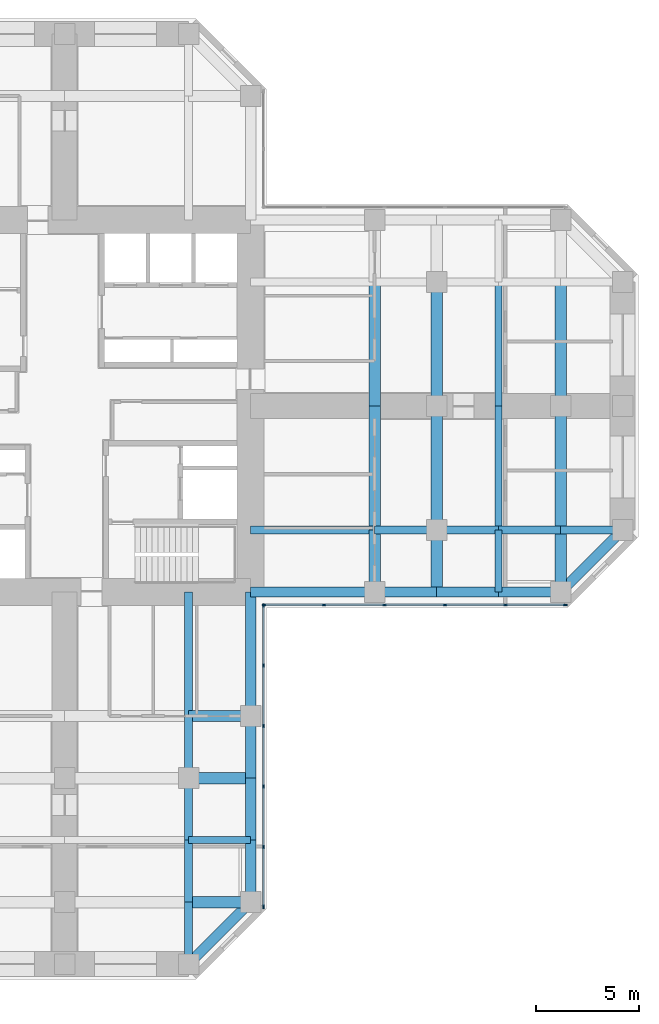
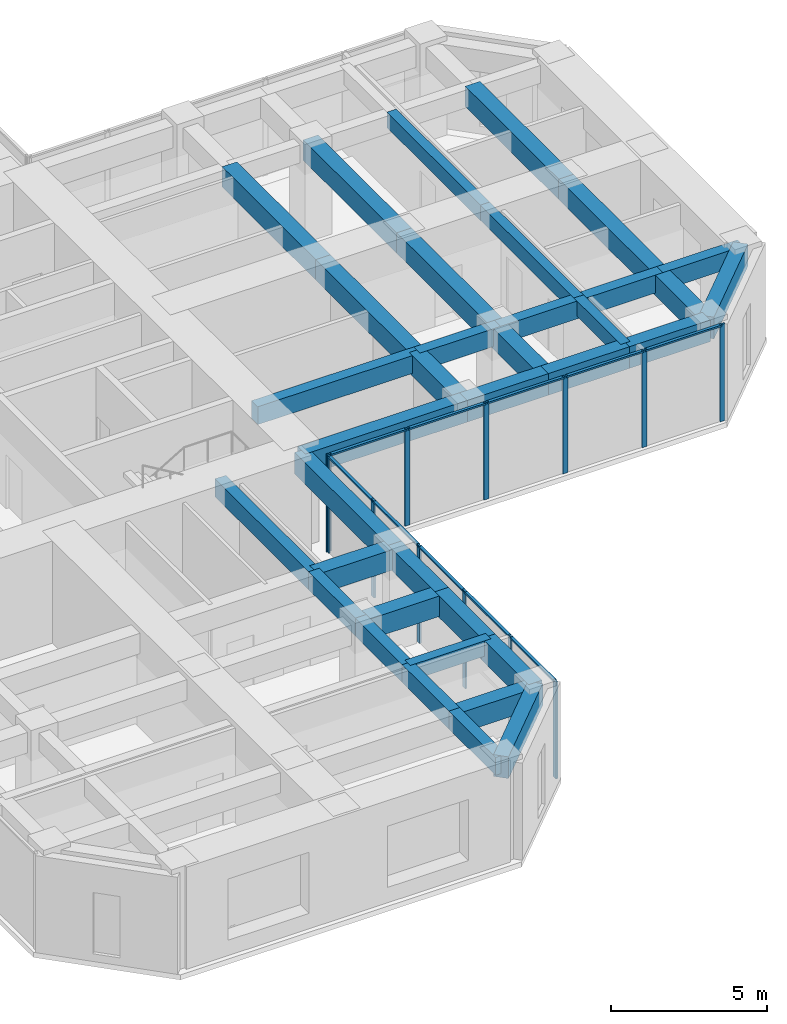
# One storey, part 4 of 13: 36 beams, 22 members, 2 elements without a shape of their own.
"""IFC4 building model written with IfcOpenShell, lengths in metres."""

from ifc_helpers import new_model, si_unit, direction, frame, origin, origin_2d, place, context, subcontext, project, spatial, rectangle, extrude, material, material_profile, profile_set, type_object, element, aggregate, save


model = new_model("IFC4")

# Units and contexts
model_context = context("Model", 3, precision=1e-05, world=origin(), true_north=direction((0.0, 1.0)))
body_context = subcontext(model_context, "Body", "Model", "MODEL_VIEW")
ifc_project = project(units=[si_unit("LENGTHUNIT", "METRE"), si_unit("AREAUNIT", "SQUARE_METRE"), si_unit("VOLUMEUNIT", "CUBIC_METRE"), si_unit("PLANEANGLEUNIT", "RADIAN"), si_unit("MASSUNIT", "GRAM", prefix="KILO")], contexts=[model_context])

# Site, building, storey
site_placement = place(None, origin())
site = spatial("IfcSite", under=ifc_project, at=site_placement, CompositionType="ELEMENT")
building_placement = place(site_placement, origin())
building = spatial("IfcBuilding", under=site, at=building_placement, Name="Torre Cruceta", CompositionType="ELEMENT")
storey_placement = place(building_placement, frame((0.0, 0.0, 132.5)))
storey = spatial("IfcBuildingStorey", under=building, at=storey_placement, Name="L32", CompositionType="ELEMENT", Elevation=132.5)

# Beams
ifc_material_1 = material(Name="Concrete G60 (fck 60 MPa)", Category="concrete")
ifc_material_profile_1 = material_profile(ifc_material_1, rectangle(XDim=0.39990234375, YDim=0.699951171875, at=origin_2d()), Name="RC 400X700")
ifc_profile_set_1 = profile_set([ifc_material_profile_1], Name="Concrete G60 (fck 60 MPa)")
beam_type_1 = type_object("IfcBeamType", Name="COLUMN LINE BEAM RC 400X700", PredefinedType="BEAM", material=ifc_profile_set_1)
beam_1_placement = place(storey_placement, frame((9.0, -6.0, 3.449951171875), z_axis=(1.0, 0.0, 0.0), x_axis=(0.0, 1.0, 0.0)))
element("IfcBeam", 1, at=beam_1_placement, inside=storey, type_object=beam_type_1, Name="LB5 L32 E col- 1", PredefinedType="BEAM", context=body_context, shape_type="SweptSolid", body=[
    extrude(rectangle(XDim=0.39990234375, YDim=0.699951171875, at=origin_2d()), origin(), (0.0, 0.0, 1.0), 6.0),
])
for number, where, z_axis, x_axis, name in (
    (2, (15.0, -6.0, 3.449951171875), (1.0, 0.0, 0.0), (0.0, 1.0, 0.0), "LB5 L32 E col- 2"),
    (3, (18.0, -6.0, 3.449951171875), (1.0, 0.0, 0.0), (0.0, 1.0, 0.0), "LB5 L32 E col- 3"),
    (4, (21.0, -6.0, 3.449951171875), (1.0, 0.0, 0.0), (0.0, 1.0, 0.0), "LB5 L32 E col- 4"),
    (5, (24.0, -6.0, 3.449951171875), (1.0, 0.0, 0.0), (0.0, 1.0, 0.0), "LB5 L32 E col- 5"),
):
    element("IfcBeam", number, at=place(storey_placement, frame(where, z_axis=z_axis, x_axis=x_axis)), inside=storey, type_object=beam_type_1, Name=name, PredefinedType="BEAM", context=body_context, shape_type="SweptSolid", body=[
        extrude(rectangle(XDim=0.39990234375, YDim=0.699951171875, at=origin_2d()), origin(), (0.0, 0.0, 1.0), 3.0),
    ])
beam_2_placement = place(storey_placement, frame((6.0, -9.0, 3.449951171875), z_axis=(0.0, -1.0, 0.0), x_axis=(1.0, 0.0, 0.0)))
element("IfcBeam", 6, at=beam_2_placement, inside=storey, type_object=beam_type_1, Name="LB5 L32 S col+ 1", PredefinedType="BEAM", context=body_context, shape_type="SweptSolid", body=[
    extrude(rectangle(XDim=0.39990234375, YDim=0.699951171875, at=origin_2d()), origin(), (0.0, 0.0, 1.0), 6.0),
])
for number, where, z_axis, x_axis, name in (
    (7, (6.0, -15.0, 3.449951171875), (0.0, -1.0, 0.0), (1.0, 0.0, 0.0), "LB5 L32 S col+ 2"),
    (8, (6.0, -18.0, 3.449951171875), (0.0, -1.0, 0.0), (1.0, 0.0, 0.0), "LB5 L32 S col+ 3"),
    (9, (6.0, -21.0, 3.449951171875), (0.0, -1.0, 0.0), (1.0, 0.0, 0.0), "LB5 L32 S col+ 4"),
    (10, (6.0, -24.0, 3.449951171875), (0.0, -1.0, 0.0), (1.0, 0.0, 0.0), "LB5 L32 S col+ 5"),
):
    element("IfcBeam", number, at=place(storey_placement, frame(where, z_axis=z_axis, x_axis=x_axis)), inside=storey, type_object=beam_type_1, Name=name, PredefinedType="BEAM", context=body_context, shape_type="SweptSolid", body=[
        extrude(rectangle(XDim=0.39990234375, YDim=0.699951171875, at=origin_2d()), origin(), (0.0, 0.0, 1.0), 3.0),
    ])
ifc_material_2 = material(Name="Concrete G60 (fck 60 MPa)", Category="concrete")
ifc_material_profile_2 = material_profile(ifc_material_2, rectangle(XDim=0.550048828125, YDim=0.800048828125, at=origin_2d()), Name="RC 550X800")
ifc_profile_set_2 = profile_set([ifc_material_profile_2], Name="Concrete G60 (fck 60 MPa)")
beam_type_2 = type_object("IfcBeamType", Name="CROSS BEAM RC 550X800", PredefinedType="BEAM", material=ifc_profile_set_2)
beam_3_placement = place(storey_placement, frame((15.0, -9.0, 3.39990234375), z_axis=(0.0, 1.0, 0.0), x_axis=(-1.0, 0.0, 0.0)))
element("IfcBeam", 11, at=beam_3_placement, inside=storey, type_object=beam_type_2, Name="GB5 L32 E cross15 1", PredefinedType="BEAM", context=body_context, shape_type="SweptSolid", body=[
    extrude(rectangle(XDim=0.550048828125, YDim=0.800048828125, at=origin_2d()), origin(), (0.0, 0.0, 1.0), 3.0),
])
for number, where, z_axis, x_axis, name in (
    (12, (15.0, -6.0, 3.39990234375), (0.0, 1.0, 0.0), (-1.0, 0.0, 0.0), "GB5 L32 E cross15 2"),
    (13, (15.0, 0.0, 3.39990234375), (0.0, 1.0, 0.0), (-1.0, 0.0, 0.0), "GB5 L32 E cross15 3"),
):
    element("IfcBeam", number, at=place(storey_placement, frame(where, z_axis=z_axis, x_axis=x_axis)), inside=storey, type_object=beam_type_2, Name=name, PredefinedType="BEAM", context=body_context, shape_type="SweptSolid", body=[
        extrude(rectangle(XDim=0.550048828125, YDim=0.800048828125, at=origin_2d()), origin(), (0.0, 0.0, 1.0), 6.0),
    ])
beam_4_placement = place(storey_placement, frame((18.0, -9.0, 3.39990234375), z_axis=(0.0, 1.0, 0.0), x_axis=(-1.0, 0.0, 0.0)))
element("IfcBeam", 14, at=beam_4_placement, inside=storey, type_object=beam_type_2, Name="GB5 L32 E cross18 1", PredefinedType="BEAM", context=body_context, shape_type="SweptSolid", body=[
    extrude(rectangle(XDim=0.550048828125, YDim=0.800048828125, at=origin_2d()), origin(), (0.0, 0.0, 1.0), 3.0),
])
for number, where, z_axis, x_axis, name in (
    (15, (18.0, -6.0, 3.39990234375), (0.0, 1.0, 0.0), (-1.0, 0.0, 0.0), "GB5 L32 E cross18 2"),
    (16, (18.0, 0.0, 3.39990234375), (0.0, 1.0, 0.0), (-1.0, 0.0, 0.0), "GB5 L32 E cross18 3"),
):
    element("IfcBeam", number, at=place(storey_placement, frame(where, z_axis=z_axis, x_axis=x_axis)), inside=storey, type_object=beam_type_2, Name=name, PredefinedType="BEAM", context=body_context, shape_type="SweptSolid", body=[
        extrude(rectangle(XDim=0.550048828125, YDim=0.800048828125, at=origin_2d()), origin(), (0.0, 0.0, 1.0), 6.0),
    ])
beam_5_placement = place(storey_placement, frame((24.0, -9.0, 3.39990234375), z_axis=(0.0, 1.0, 0.0), x_axis=(-1.0, 0.0, 0.0)))
element("IfcBeam", 17, at=beam_5_placement, inside=storey, type_object=beam_type_2, Name="GB5 L32 E cross24 1", PredefinedType="BEAM", context=body_context, shape_type="SweptSolid", body=[
    extrude(rectangle(XDim=0.550048828125, YDim=0.800048828125, at=origin_2d()), origin(), (0.0, 0.0, 1.0), 3.0),
])
for number, where, z_axis, x_axis, name in (
    (18, (24.0, -6.0, 3.39990234375), (0.0, 1.0, 0.0), (-1.0, 0.0, 0.0), "GB5 L32 E cross24 2"),
    (19, (24.0, 0.0, 3.39990234375), (0.0, 1.0, 0.0), (-1.0, 0.0, 0.0), "GB5 L32 E cross24 3"),
):
    element("IfcBeam", number, at=place(storey_placement, frame(where, z_axis=z_axis, x_axis=x_axis)), inside=storey, type_object=beam_type_2, Name=name, PredefinedType="BEAM", context=body_context, shape_type="SweptSolid", body=[
        extrude(rectangle(XDim=0.550048828125, YDim=0.800048828125, at=origin_2d()), origin(), (0.0, 0.0, 1.0), 6.0),
    ])
for number, where, z_axis, x_axis, name in (
    (20, (6.0, -15.0, 3.39990234375), (1.0, 0.0, 0.0), (0.0, 1.0, 0.0), "GB5 L32 S cross15 4"),
    (21, (6.0, -18.0, 3.39990234375), (1.0, 0.0, 0.0), (0.0, 1.0, 0.0), "GB5 L32 S cross18 4"),
    (22, (6.0, -24.0, 3.39990234375), (1.0, 0.0, 0.0), (0.0, 1.0, 0.0), "GB5 L32 S cross24 4"),
):
    element("IfcBeam", number, at=place(storey_placement, frame(where, z_axis=z_axis, x_axis=x_axis)), inside=storey, type_object=beam_type_2, Name=name, PredefinedType="BEAM", context=body_context, shape_type="SweptSolid", body=[
        extrude(rectangle(XDim=0.550048828125, YDim=0.800048828125, at=origin_2d()), origin(), (0.0, 0.0, 1.0), 3.0),
    ])

# Curtain wall, members
ifc_material_3 = material(Name="Aluminium unitised curtain wall", Category="aluminium")
curtain_wall_type = type_object("IfcCurtainWallType", Name="CURTAIN WALL CW-B OFFICE MID RISE", PredefinedType="USERDEFINED", material=ifc_material_3)
curtain_wall_1_placement = place(storey_placement, origin())
curtain_wall_1 = element("IfcCurtainWall", 23, at=curtain_wall_1_placement, inside=storey, type_object=curtain_wall_type, Name="CW-B L32 E side 00", ObjectType="UNITISED", PredefinedType="USERDEFINED")
ifc_material_4 = material(Name="Aluminium mullion", Category="aluminium")
ifc_material_profile_3 = material_profile(ifc_material_4, rectangle(XDim=0.06494140625, YDim=0.179931640625, at=origin_2d()), Name="AL 65X180")
ifc_profile_set_3 = profile_set([ifc_material_profile_3], Name="Aluminium mullion")
member_type_1 = type_object("IfcMemberType", Name="CW-B MULLION 65X180", PredefinedType="MULLION", material=ifc_profile_set_3)
member_1_placement = place(storey_placement, frame((9.652587890625, -9.6201171875, 0.0), z_axis=(0.0, 0.0, 1.0), x_axis=(0.0, 1.0, 0.0)))
member_1 = element("IfcMember", 24, at=member_1_placement, type_object=member_type_1, Name="CW-B mullion 1", PredefinedType="MULLION", context=body_context, shape_type="SweptSolid", body=[
    extrude(rectangle(XDim=0.06494140625, YDim=0.179931640625, at=origin_2d()), origin(), (0.0, 0.0, 1.0), 3.800048828125),
])
member_2_placement = place(storey_placement, frame((12.54736328125, -9.6201171875, 0.0), z_axis=(0.0, 0.0, 1.0), x_axis=(0.0, 1.0, 0.0)))
member_2 = element("IfcMember", 25, at=member_2_placement, type_object=member_type_1, Name="CW-B mullion 2", PredefinedType="MULLION", context=body_context, shape_type="SweptSolid", body=[
    extrude(rectangle(XDim=0.06494140625, YDim=0.179931640625, at=origin_2d()), origin(), (0.0, 0.0, 1.0), 3.800048828125),
])
member_3_placement = place(storey_placement, frame((15.474609375, -9.6201171875, 0.0), z_axis=(0.0, 0.0, 1.0), x_axis=(0.0, 1.0, 0.0)))
member_3 = element("IfcMember", 26, at=member_3_placement, type_object=member_type_1, Name="CW-B mullion 3", PredefinedType="MULLION", context=body_context, shape_type="SweptSolid", body=[
    extrude(rectangle(XDim=0.06494140625, YDim=0.179931640625, at=origin_2d()), origin(), (0.0, 0.0, 1.0), 3.800048828125),
])
member_4_placement = place(storey_placement, frame((18.402099609375, -9.6201171875, 0.0), z_axis=(0.0, 0.0, 1.0), x_axis=(0.0, 1.0, 0.0)))
member_4 = element("IfcMember", 27, at=member_4_placement, type_object=member_type_1, Name="CW-B mullion 4", PredefinedType="MULLION", context=body_context, shape_type="SweptSolid", body=[
    extrude(rectangle(XDim=0.06494140625, YDim=0.179931640625, at=origin_2d()), origin(), (0.0, 0.0, 1.0), 3.800048828125),
])
member_5_placement = place(storey_placement, frame((21.329345703125, -9.6201171875, 0.0), z_axis=(0.0, 0.0, 1.0), x_axis=(0.0, 1.0, 0.0)))
member_5 = element("IfcMember", 28, at=member_5_placement, type_object=member_type_1, Name="CW-B mullion 5", PredefinedType="MULLION", context=body_context, shape_type="SweptSolid", body=[
    extrude(rectangle(XDim=0.06494140625, YDim=0.179931640625, at=origin_2d()), origin(), (0.0, 0.0, 1.0), 3.800048828125),
])
member_6_placement = place(storey_placement, frame((24.224365234375, -9.6201171875, 0.0), z_axis=(0.0, 0.0, 1.0), x_axis=(0.0, 1.0, 0.0)))
member_6 = element("IfcMember", 29, at=member_6_placement, type_object=member_type_1, Name="CW-B mullion 6", PredefinedType="MULLION", context=body_context, shape_type="SweptSolid", body=[
    extrude(rectangle(XDim=0.06494140625, YDim=0.179931640625, at=origin_2d()), origin(), (0.0, 0.0, 1.0), 3.800048828125),
])

curtain_wall_2_placement = place(storey_placement, origin())
curtain_wall_2 = element("IfcCurtainWall", 30, at=curtain_wall_2_placement, inside=storey, type_object=curtain_wall_type, Name="CW-B L32 S side 19", ObjectType="UNITISED", PredefinedType="USERDEFINED")
member_7_placement = place(storey_placement, frame((9.6201171875, -24.224365234375, 0.0), z_axis=(0.0, 0.0, 1.0), x_axis=(-1.0, 0.0, 0.0)))
member_7 = element("IfcMember", 31, at=member_7_placement, type_object=member_type_1, Name="CW-B mullion 1", PredefinedType="MULLION", context=body_context, shape_type="SweptSolid", body=[
    extrude(rectangle(XDim=0.06494140625, YDim=0.179931640625, at=origin_2d()), origin(), (0.0, 0.0, 1.0), 3.800048828125),
])
member_8_placement = place(storey_placement, frame((9.6201171875, -21.329345703125, 0.0), z_axis=(0.0, 0.0, 1.0), x_axis=(-1.0, 0.0, 0.0)))
member_8 = element("IfcMember", 32, at=member_8_placement, type_object=member_type_1, Name="CW-B mullion 2", PredefinedType="MULLION", context=body_context, shape_type="SweptSolid", body=[
    extrude(rectangle(XDim=0.06494140625, YDim=0.179931640625, at=origin_2d()), origin(), (0.0, 0.0, 1.0), 3.800048828125),
])
member_9_placement = place(storey_placement, frame((9.6201171875, -18.402099609375, 0.0), z_axis=(0.0, 0.0, 1.0), x_axis=(-1.0, 0.0, 0.0)))
member_9 = element("IfcMember", 33, at=member_9_placement, type_object=member_type_1, Name="CW-B mullion 3", PredefinedType="MULLION", context=body_context, shape_type="SweptSolid", body=[
    extrude(rectangle(XDim=0.06494140625, YDim=0.179931640625, at=origin_2d()), origin(), (0.0, 0.0, 1.0), 3.800048828125),
])
member_10_placement = place(storey_placement, frame((9.6201171875, -15.474609375, 0.0), z_axis=(0.0, 0.0, 1.0), x_axis=(-1.0, 0.0, 0.0)))
member_10 = element("IfcMember", 34, at=member_10_placement, type_object=member_type_1, Name="CW-B mullion 4", PredefinedType="MULLION", context=body_context, shape_type="SweptSolid", body=[
    extrude(rectangle(XDim=0.06494140625, YDim=0.179931640625, at=origin_2d()), origin(), (0.0, 0.0, 1.0), 3.800048828125),
])
member_11_placement = place(storey_placement, frame((9.6201171875, -12.54736328125, 0.0), z_axis=(0.0, 0.0, 1.0), x_axis=(-1.0, 0.0, 0.0)))
member_11 = element("IfcMember", 35, at=member_11_placement, type_object=member_type_1, Name="CW-B mullion 5", PredefinedType="MULLION", context=body_context, shape_type="SweptSolid", body=[
    extrude(rectangle(XDim=0.06494140625, YDim=0.179931640625, at=origin_2d()), origin(), (0.0, 0.0, 1.0), 3.800048828125),
])
member_12_placement = place(storey_placement, frame((9.6201171875, -9.652587890625, 0.0), z_axis=(0.0, 0.0, 1.0), x_axis=(-1.0, 0.0, 0.0)))
member_12 = element("IfcMember", 36, at=member_12_placement, type_object=member_type_1, Name="CW-B mullion 6", PredefinedType="MULLION", context=body_context, shape_type="SweptSolid", body=[
    extrude(rectangle(XDim=0.06494140625, YDim=0.179931640625, at=origin_2d()), origin(), (0.0, 0.0, 1.0), 3.800048828125),
])

# Member
ifc_material_5 = material(Name="Aluminium transom", Category="aluminium")
ifc_material_profile_4 = material_profile(ifc_material_5, rectangle(XDim=0.110107421875, YDim=0.06494140625, at=origin_2d()), Name="AL 110X65")
ifc_profile_set_4 = profile_set([ifc_material_profile_4], Name="Aluminium transom")
member_type_2 = type_object("IfcMemberType", Name="CW-B TRANSOM 65X110", PredefinedType="USERDEFINED", material=ifc_profile_set_4)
member_13_placement = place(storey_placement, frame((9.68505859375, -9.6201171875, 3.767578125), z_axis=(1.0, 0.0, 0.0), x_axis=(0.0, 1.0, 0.0)))
member_13 = element("IfcMember", 37, at=member_13_placement, type_object=member_type_2, Name="CW-B transom 1", ObjectType="TRANSOM", PredefinedType="USERDEFINED", context=body_context, shape_type="SweptSolid", body=[
    extrude(rectangle(XDim=0.110107421875, YDim=0.06494140625, at=origin_2d()), origin(), (0.0, 0.0, 1.0), 2.829833984375),
])

member_14_placement = place(storey_placement, frame((12.579833984375, -9.6201171875, 3.767578125), z_axis=(1.0, 0.0, 0.0), x_axis=(0.0, 1.0, 0.0)))
member_14 = element("IfcMember", 38, at=member_14_placement, type_object=member_type_2, Name="CW-B transom 2", ObjectType="TRANSOM", PredefinedType="USERDEFINED", context=body_context, shape_type="SweptSolid", body=[
    extrude(rectangle(XDim=0.110107421875, YDim=0.06494140625, at=origin_2d()), origin(), (0.0, 0.0, 1.0), 2.8623046875),
])

member_15_placement = place(storey_placement, frame((15.50732421875, -9.6201171875, 3.767578125), z_axis=(1.0, 0.0, 0.0), x_axis=(0.0, 1.0, 0.0)))
member_15 = element("IfcMember", 39, at=member_15_placement, type_object=member_type_2, Name="CW-B transom 3", ObjectType="TRANSOM", PredefinedType="USERDEFINED", context=body_context, shape_type="SweptSolid", body=[
    extrude(rectangle(XDim=0.110107421875, YDim=0.06494140625, at=origin_2d()), origin(), (0.0, 0.0, 1.0), 2.8623046875),
])

member_16_placement = place(storey_placement, frame((18.4345703125, -9.6201171875, 3.767578125), z_axis=(1.0, 0.0, 0.0), x_axis=(0.0, 1.0, 0.0)))
member_16 = element("IfcMember", 40, at=member_16_placement, type_object=member_type_2, Name="CW-B transom 4", ObjectType="TRANSOM", PredefinedType="USERDEFINED", context=body_context, shape_type="SweptSolid", body=[
    extrude(rectangle(XDim=0.110107421875, YDim=0.06494140625, at=origin_2d()), origin(), (0.0, 0.0, 1.0), 2.8623046875),
])

member_17_placement = place(storey_placement, frame((21.362060546875, -9.6201171875, 3.767578125), z_axis=(1.0, 0.0, 0.0), x_axis=(0.0, 1.0, 0.0)))
member_17 = element("IfcMember", 41, at=member_17_placement, type_object=member_type_2, Name="CW-B transom 5", ObjectType="TRANSOM", PredefinedType="USERDEFINED", context=body_context, shape_type="SweptSolid", body=[
    extrude(rectangle(XDim=0.110107421875, YDim=0.06494140625, at=origin_2d()), origin(), (0.0, 0.0, 1.0), 2.829833984375),
])

aggregate(curtain_wall_1, [member_1, member_2, member_3, member_4, member_5, member_6, member_13, member_14, member_15, member_16, member_17])

member_18_placement = place(storey_placement, frame((9.6201171875, -24.19189453125, 3.767578125), z_axis=(0.0, 1.0, 0.0), x_axis=(-1.0, 0.0, 0.0)))
member_18 = element("IfcMember", 42, at=member_18_placement, type_object=member_type_2, Name="CW-B transom 1", ObjectType="TRANSOM", PredefinedType="USERDEFINED", context=body_context, shape_type="SweptSolid", body=[
    extrude(rectangle(XDim=0.110107421875, YDim=0.06494140625, at=origin_2d()), origin(), (0.0, 0.0, 1.0), 2.829833984375),
])

member_19_placement = place(storey_placement, frame((9.6201171875, -21.296875, 3.767578125), z_axis=(0.0, 1.0, 0.0), x_axis=(-1.0, 0.0, 0.0)))
member_19 = element("IfcMember", 43, at=member_19_placement, type_object=member_type_2, Name="CW-B transom 2", ObjectType="TRANSOM", PredefinedType="USERDEFINED", context=body_context, shape_type="SweptSolid", body=[
    extrude(rectangle(XDim=0.110107421875, YDim=0.06494140625, at=origin_2d()), origin(), (0.0, 0.0, 1.0), 2.8623046875),
])

member_20_placement = place(storey_placement, frame((9.6201171875, -18.36962890625, 3.767578125), z_axis=(0.0, 1.0, 0.0), x_axis=(-1.0, 0.0, 0.0)))
member_20 = element("IfcMember", 44, at=member_20_placement, type_object=member_type_2, Name="CW-B transom 3", ObjectType="TRANSOM", PredefinedType="USERDEFINED", context=body_context, shape_type="SweptSolid", body=[
    extrude(rectangle(XDim=0.110107421875, YDim=0.06494140625, at=origin_2d()), origin(), (0.0, 0.0, 1.0), 2.8623046875),
])

member_21_placement = place(storey_placement, frame((9.6201171875, -15.442138671875, 3.767578125), z_axis=(0.0, 1.0, 0.0), x_axis=(-1.0, 0.0, 0.0)))
member_21 = element("IfcMember", 45, at=member_21_placement, type_object=member_type_2, Name="CW-B transom 4", ObjectType="TRANSOM", PredefinedType="USERDEFINED", context=body_context, shape_type="SweptSolid", body=[
    extrude(rectangle(XDim=0.110107421875, YDim=0.06494140625, at=origin_2d()), origin(), (0.0, 0.0, 1.0), 2.8623046875),
])

member_22_placement = place(storey_placement, frame((9.6201171875, -12.514892578125, 3.767578125), z_axis=(0.0, 1.0, 0.0), x_axis=(-1.0, 0.0, 0.0)))
member_22 = element("IfcMember", 46, at=member_22_placement, type_object=member_type_2, Name="CW-B transom 5", ObjectType="TRANSOM", PredefinedType="USERDEFINED", context=body_context, shape_type="SweptSolid", body=[
    extrude(rectangle(XDim=0.110107421875, YDim=0.06494140625, at=origin_2d()), origin(), (0.0, 0.0, 1.0), 2.829833984375),
])

aggregate(curtain_wall_2, [member_7, member_8, member_9, member_10, member_11, member_12, member_18, member_19, member_20, member_21, member_22])

# Beams
ifc_material_6 = material(Name="Concrete G60 (fck 60 MPa)", Category="concrete")
ifc_material_profile_5 = material_profile(ifc_material_6, rectangle(XDim=0.35009765625, YDim=0.60009765625, at=origin_2d()), Name="RC 350X600")
ifc_profile_set_5 = profile_set([ifc_material_profile_5], Name="Concrete G60 (fck 60 MPa)")
beam_type_3 = type_object("IfcBeamType", Name="SECONDARY BEAM RC 350X600", PredefinedType="JOIST", material=ifc_profile_set_5)
beam_6_placement = place(storey_placement, frame((21.0, -9.0, 3.5), z_axis=(0.0, 1.0, 0.0), x_axis=(-1.0, 0.0, 0.0)))
element("IfcBeam", 47, at=beam_6_placement, inside=storey, type_object=beam_type_3, Name="JB5 L32 E sec21 1", PredefinedType="JOIST", context=body_context, shape_type="SweptSolid", body=[
    extrude(rectangle(XDim=0.35009765625, YDim=0.60009765625, at=origin_2d()), origin(), (0.0, 0.0, 1.0), 3.0),
])
for number, where, z_axis, x_axis, name in (
    (48, (21.0, -6.0, 3.5), (0.0, 1.0, 0.0), (-1.0, 0.0, 0.0), "JB5 L32 E sec21 2"),
    (49, (21.0, 0.0, 3.5), (0.0, 1.0, 0.0), (-1.0, 0.0, 0.0), "JB5 L32 E sec21 3"),
):
    element("IfcBeam", number, at=place(storey_placement, frame(where, z_axis=z_axis, x_axis=x_axis)), inside=storey, type_object=beam_type_3, Name=name, PredefinedType="JOIST", context=body_context, shape_type="SweptSolid", body=[
        extrude(rectangle(XDim=0.35009765625, YDim=0.60009765625, at=origin_2d()), origin(), (0.0, 0.0, 1.0), 6.0),
    ])
beam_7_placement = place(storey_placement, frame((6.0, -21.0, 3.5), z_axis=(1.0, 0.0, 0.0), x_axis=(0.0, 1.0, 0.0)))
element("IfcBeam", 50, at=beam_7_placement, inside=storey, type_object=beam_type_3, Name="JB5 L32 S sec21 4", PredefinedType="JOIST", context=body_context, shape_type="SweptSolid", body=[
    extrude(rectangle(XDim=0.35009765625, YDim=0.60009765625, at=origin_2d()), origin(), (0.0, 0.0, 1.0), 3.0),
])
ifc_material_7 = material(Name="Concrete G60 (fck 60 MPa)", Category="concrete")
ifc_material_profile_6 = material_profile(ifc_material_7, rectangle(XDim=0.5, YDim=0.85009765625, at=origin_2d()), Name="RC 500X850")
ifc_profile_set_6 = profile_set([ifc_material_profile_6], Name="Concrete G60 (fck 60 MPa)")
beam_type_4 = type_object("IfcBeamType", Name="SPANDREL BEAM RC 500X850", PredefinedType="SPANDREL", material=ifc_profile_set_6)
beam_8_placement = place(storey_placement, frame((9.0, -9.0, 3.375), z_axis=(1.0, 0.0, 0.0), x_axis=(0.0, 1.0, 0.0)))
element("IfcBeam", 51, at=beam_8_placement, inside=storey, type_object=beam_type_4, Name="SB5 L32 E side- 1", PredefinedType="SPANDREL", context=body_context, shape_type="SweptSolid", body=[
    extrude(rectangle(XDim=0.5, YDim=0.85009765625, at=origin_2d()), origin(), (0.0, 0.0, 1.0), 6.0),
])
for number, where, z_axis, x_axis, name in (
    (52, (15.0, -9.0, 3.375), (1.0, 0.0, 0.0), (0.0, 1.0, 0.0), "SB5 L32 E side- 2"),
    (53, (18.0, -9.0, 3.375), (1.0, 0.0, 0.0), (0.0, 1.0, 0.0), "SB5 L32 E side- 3"),
    (54, (21.0, -9.0, 3.375), (1.0, 0.0, 0.0), (0.0, 1.0, 0.0), "SB5 L32 E side- 4"),
):
    element("IfcBeam", number, at=place(storey_placement, frame(where, z_axis=z_axis, x_axis=x_axis)), inside=storey, type_object=beam_type_4, Name=name, PredefinedType="SPANDREL", context=body_context, shape_type="SweptSolid", body=[
        extrude(rectangle(XDim=0.5, YDim=0.85009765625, at=origin_2d()), origin(), (0.0, 0.0, 1.0), 3.0),
    ])
beam_9_placement = place(storey_placement, frame((24.0, -9.0, 3.375), z_axis=(0.707106781187, 0.707106781187, 0.0), x_axis=(-0.707106781187, 0.707106781187, 0.0)))
element("IfcBeam", 55, at=beam_9_placement, inside=storey, type_object=beam_type_4, Name="SB5 L32 E side- 5", PredefinedType="SPANDREL", context=body_context, shape_type="SweptSolid", body=[
    extrude(rectangle(XDim=0.5, YDim=0.85009765625, at=origin_2d()), origin(), (0.0, 0.0, 1.0), 4.24267578125),
])
beam_10_placement = place(storey_placement, frame((9.0, -9.0, 3.375), z_axis=(0.0, -1.0, 0.0), x_axis=(1.0, 0.0, 0.0)))
element("IfcBeam", 56, at=beam_10_placement, inside=storey, type_object=beam_type_4, Name="SB5 L32 S side+ 1", PredefinedType="SPANDREL", context=body_context, shape_type="SweptSolid", body=[
    extrude(rectangle(XDim=0.5, YDim=0.85009765625, at=origin_2d()), origin(), (0.0, 0.0, 1.0), 6.0),
])
for number, where, z_axis, x_axis, name in (
    (57, (9.0, -15.0, 3.375), (0.0, -1.0, 0.0), (1.0, 0.0, 0.0), "SB5 L32 S side+ 2"),
    (58, (9.0, -18.0, 3.375), (0.0, -1.0, 0.0), (1.0, 0.0, 0.0), "SB5 L32 S side+ 3"),
    (59, (9.0, -21.0, 3.375), (0.0, -1.0, 0.0), (1.0, 0.0, 0.0), "SB5 L32 S side+ 4"),
):
    element("IfcBeam", number, at=place(storey_placement, frame(where, z_axis=z_axis, x_axis=x_axis)), inside=storey, type_object=beam_type_4, Name=name, PredefinedType="SPANDREL", context=body_context, shape_type="SweptSolid", body=[
        extrude(rectangle(XDim=0.5, YDim=0.85009765625, at=origin_2d()), origin(), (0.0, 0.0, 1.0), 3.0),
    ])
beam_11_placement = place(storey_placement, frame((9.0, -24.0, 3.375), z_axis=(-0.707106781187, -0.707106781187, 0.0), x_axis=(0.707106781187, -0.707106781187, 0.0)))
element("IfcBeam", 60, at=beam_11_placement, inside=storey, type_object=beam_type_4, Name="SB5 L32 S side+ 5", PredefinedType="SPANDREL", context=body_context, shape_type="SweptSolid", body=[
    extrude(rectangle(XDim=0.5, YDim=0.85009765625, at=origin_2d()), origin(), (0.0, 0.0, 1.0), 4.24267578125),
])

save(model, "model.ifc")
